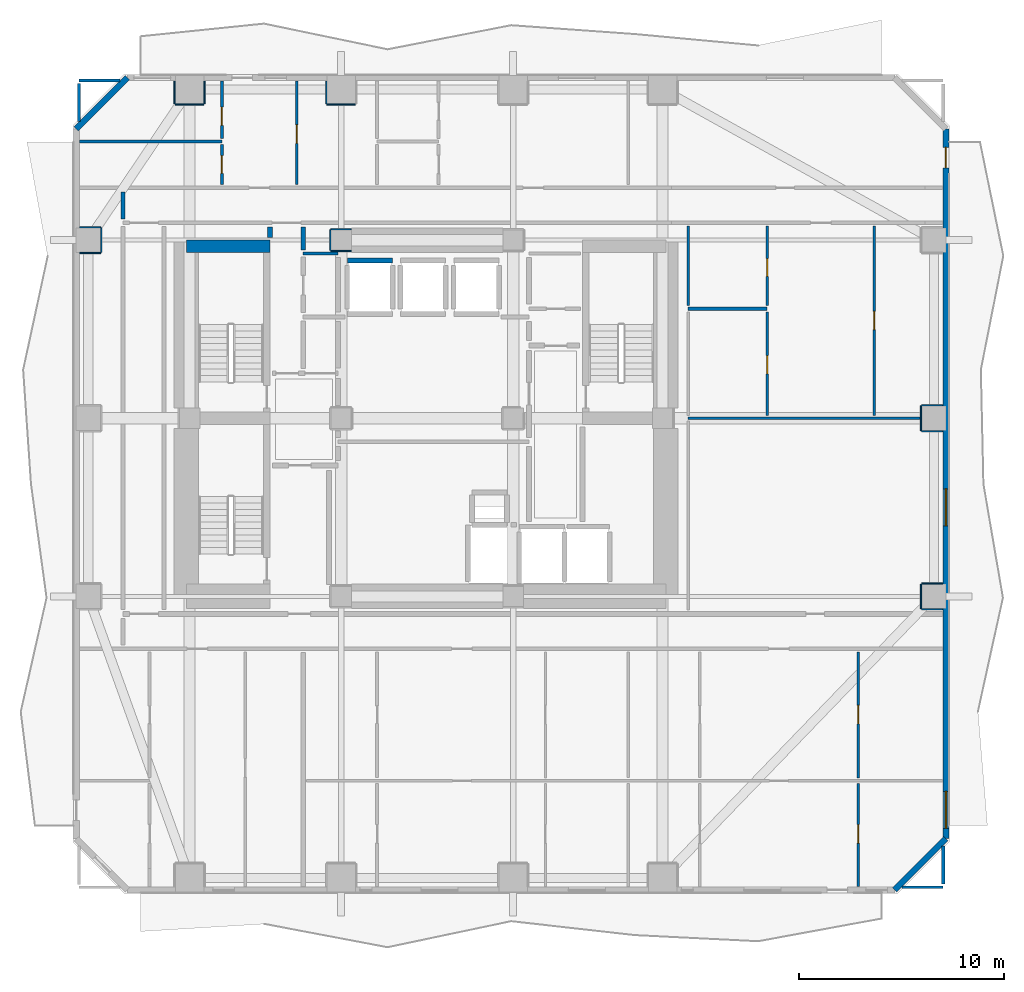
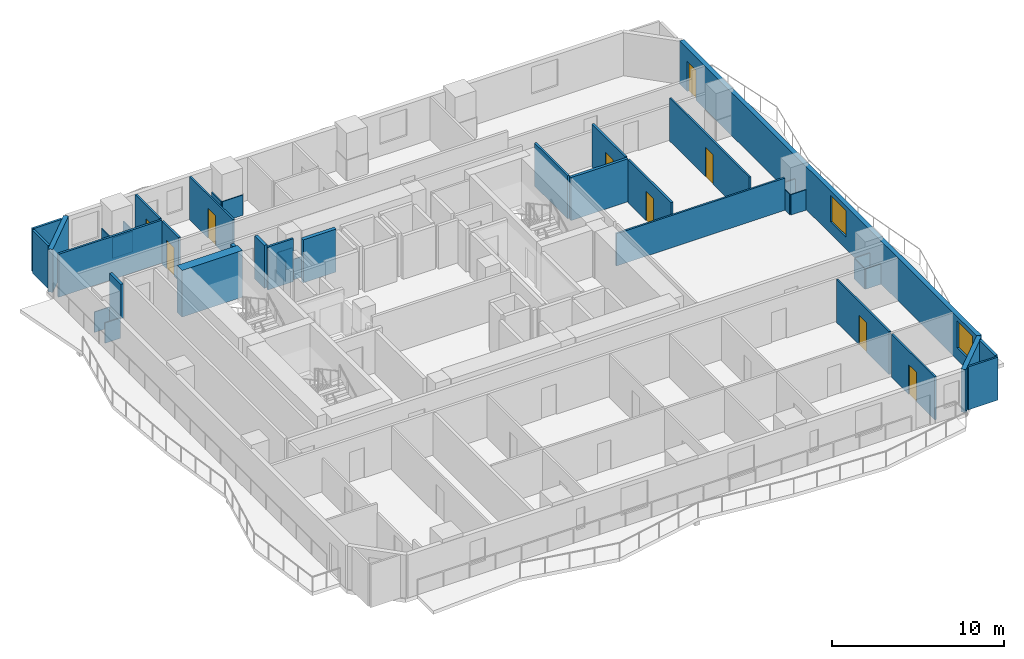
# One storey, part 5 of 10: 42 walls, 9 doors, 2 windows, 11 openings.
"""IFC4 building model written with IfcOpenShell, lengths in metres."""

from ifc_helpers import new_model, si_unit, direction, frame, frame_2d, origin, place, context, subcontext, project, spatial, rectangle, extrude, material, layer, layer_set, type_object, element, fill, save


model = new_model("IFC4")

# Units and contexts
model_context = context("Model", 3, precision=1e-05, world=origin(), true_north=direction((0.0, 1.0)))
body_context = subcontext(model_context, "Body", "Model", "MODEL_VIEW")
ifc_project = project(units=[si_unit("LENGTHUNIT", "METRE"), si_unit("AREAUNIT", "SQUARE_METRE"), si_unit("VOLUMEUNIT", "CUBIC_METRE"), si_unit("PLANEANGLEUNIT", "RADIAN"), si_unit("MASSUNIT", "GRAM", prefix="KILO")], contexts=[model_context])

# Site, building, storey
site_placement = place(None, origin())
site = spatial("IfcSite", under=ifc_project, at=site_placement, CompositionType="ELEMENT")
building_placement = place(site_placement, origin())
building = spatial("IfcBuilding", under=site, at=building_placement, Name="Solanera Arch Residences", CompositionType="ELEMENT")
storey_placement = place(building_placement, frame((0.0, 0.0, 48.56005859375)))
storey = spatial("IfcBuildingStorey", under=building, at=storey_placement, Name="L13", CompositionType="ELEMENT", Elevation=48.56005859375)

# Walls
ifc_material_1 = material(Name="Fire-Rated Gypsum Stud Partition", Category="gypsum")
ifc_layer_1 = layer(ifc_material_1, 0.06005859375)
ifc_layer_set_1 = layer_set([ifc_layer_1], Name="Fire-Rated Gypsum Stud Partition")
wall_type_1 = type_object("IfcWallType", Name="Column Acoustic Furring Wall 60", PredefinedType="PARTITIONING", material=ifc_layer_set_1)
for number, where, z_axis, x_axis, name in (
    (1, (20.300048828125, 38.867919921875, 0.0), (0.0, 0.0, 1.0), (1.0, 0.0, 0.0), "L13 Column Furring 3S"),
    (2, (20.300048828125, 39.931884765625, 0.0), (0.0, 0.0, 1.0), (1.0, 0.0, 0.0), "L13 Column Furring 3N"),
):
    element("IfcWall", number, at=place(storey_placement, frame(where, z_axis=z_axis, x_axis=x_axis)), inside=storey, type_object=wall_type_1, Name=name, PredefinedType="PARTITIONING", context=body_context, shape_type="SweptSolid", body=[
        extrude(rectangle(XDim=0.989990234375, YDim=0.06005859375, at=frame_2d((0.4951171875, 0.0))), origin(), (0.0, 0.0, 1.0), 1.449951171875),
    ])
wall_1_placement = place(storey_placement, frame((20.26806640625, 38.89990234375, 0.0), z_axis=(0.0, 0.0, 1.0), x_axis=(0.0, 1.0, 0.0)))
element("IfcWall", 3, at=wall_1_placement, inside=storey, type_object=wall_type_1, Name="L13 Column Furring 3W", PredefinedType="PARTITIONING", context=body_context, shape_type="SweptSolid", body=[
    extrude(rectangle(XDim=1.0, YDim=0.06005859375, at=frame_2d((0.5, 0.0))), origin(), (0.0, 0.0, 1.0), 1.449951171875),
])
wall_2_placement = place(storey_placement, frame((12.699951171875, 46.01806640625, 0.0), z_axis=(0.0, 0.0, 1.0), x_axis=(1.0, 0.0, 0.0)))
element("IfcWall", 4, at=wall_2_placement, inside=storey, type_object=wall_type_1, Name="L13 Column Furring 10S", PredefinedType="PARTITIONING", context=body_context, shape_type="SweptSolid", body=[
    extrude(rectangle(XDim=1.400146484375, YDim=0.06005859375, at=frame_2d((0.7001953125, 0.0))), origin(), (0.0, 0.0, 1.0), 1.449951171875),
])
for number, where, z_axis, x_axis, name in (
    (5, (12.66796875, 46.050048828125, 0.0), (0.0, 0.0, 1.0), (0.0, 1.0, 0.0), "L13 Column Furring 10W"),
    (6, (14.132080078125, 46.050048828125, 0.0), (0.0, 0.0, 1.0), (0.0, 1.0, 0.0), "L13 Column Furring 10E"),
):
    element("IfcWall", number, at=place(storey_placement, frame(where, z_axis=z_axis, x_axis=x_axis)), inside=storey, type_object=wall_type_1, Name=name, PredefinedType="PARTITIONING", context=body_context, shape_type="SweptSolid", body=[
        extrude(rectangle(XDim=1.119873046875, YDim=0.06005859375, at=frame_2d((0.56005859375, 0.0))), origin(), (0.0, 0.0, 1.0), 1.449951171875),
    ])
wall_3_placement = place(storey_placement, frame((20.10009765625, 46.01806640625, 0.0), z_axis=(0.0, 0.0, 1.0), x_axis=(1.0, 0.0, 0.0)))
element("IfcWall", 7, at=wall_3_placement, inside=storey, type_object=wall_type_1, Name="L13 Column Furring 12S", PredefinedType="PARTITIONING", context=body_context, shape_type="SweptSolid", body=[
    extrude(rectangle(XDim=1.39990234375, YDim=0.06005859375, at=frame_2d((0.699951171875, 0.0))), origin(), (0.0, 0.0, 1.0), 1.449951171875),
])
wall_4_placement = place(storey_placement, frame((20.068115234375, 46.050048828125, 0.0), z_axis=(0.0, 0.0, 1.0), x_axis=(0.0, 1.0, 0.0)))
element("IfcWall", 8, at=wall_4_placement, inside=storey, type_object=wall_type_1, Name="L13 Column Furring 12W", PredefinedType="PARTITIONING", context=body_context, shape_type="SweptSolid", body=[
    extrude(rectangle(XDim=1.119873046875, YDim=0.06005859375, at=frame_2d((0.56005859375, 0.0))), origin(), (0.0, 0.0, 1.0), 1.449951171875),
])
for number, where, z_axis, x_axis, name in (
    (9, (49.14990234375, 21.367919921875, 0.0), (0.0, 0.0, 1.0), (1.0, 0.0, 0.0), "L13 Column Furring 18S"),
    (10, (49.14990234375, 22.632080078125, 0.0), (0.0, 0.0, 1.0), (1.0, 0.0, 0.0), "L13 Column Furring 18N"),
):
    element("IfcWall", number, at=place(storey_placement, frame(where, z_axis=z_axis, x_axis=x_axis)), inside=storey, type_object=wall_type_1, Name=name, PredefinedType="PARTITIONING", context=body_context, shape_type="SweptSolid", body=[
        extrude(rectangle(XDim=1.02001953125, YDim=0.06005859375, at=frame_2d((0.510009765625, 0.0))), origin(), (0.0, 0.0, 1.0), 1.449951171875),
    ])
wall_5_placement = place(storey_placement, frame((49.117919921875, 21.39990234375, 0.0), z_axis=(0.0, 0.0, 1.0), x_axis=(0.0, 1.0, 0.0)))
element("IfcWall", 11, at=wall_5_placement, inside=storey, type_object=wall_type_1, Name="L13 Column Furring 18W", PredefinedType="PARTITIONING", context=body_context, shape_type="SweptSolid", body=[
    extrude(rectangle(XDim=1.2001953125, YDim=0.06005859375, at=frame_2d((0.60009765625, 0.0))), origin(), (0.0, 0.0, 1.0), 1.449951171875),
])
for number, where, z_axis, x_axis, name in (
    (12, (49.14990234375, 30.068115234375, 0.0), (0.0, 0.0, 1.0), (1.0, 0.0, 0.0), "L13 Column Furring 20S"),
    (13, (49.14990234375, 31.33203125, 0.0), (0.0, 0.0, 1.0), (1.0, 0.0, 0.0), "L13 Column Furring 20N"),
):
    element("IfcWall", number, at=place(storey_placement, frame(where, z_axis=z_axis, x_axis=x_axis)), inside=storey, type_object=wall_type_1, Name=name, PredefinedType="PARTITIONING", context=body_context, shape_type="SweptSolid", body=[
        extrude(rectangle(XDim=1.02001953125, YDim=0.06005859375, at=frame_2d((0.510009765625, 0.0))), origin(), (0.0, 0.0, 1.0), 1.449951171875),
    ])
wall_6_placement = place(storey_placement, frame((49.117919921875, 30.10009765625, 0.0), z_axis=(0.0, 0.0, 1.0), x_axis=(0.0, 1.0, 0.0)))
element("IfcWall", 14, at=wall_6_placement, inside=storey, type_object=wall_type_1, Name="L13 Column Furring 20W", PredefinedType="PARTITIONING", context=body_context, shape_type="SweptSolid", body=[
    extrude(rectangle(XDim=1.199951171875, YDim=0.06005859375, at=frame_2d((0.60009765625, 0.0))), origin(), (0.0, 0.0, 1.0), 1.449951171875),
])
for number, where, z_axis, x_axis, name in (
    (15, (8.030029296875, 38.76806640625, 0.0), (0.0, 0.0, 1.0), (1.0, 0.0, 0.0), "L13 Column Furring 21S"),
    (16, (8.030029296875, 40.031982421875, 0.0), (0.0, 0.0, 1.0), (1.0, 0.0, 0.0), "L13 Column Furring 21N"),
):
    element("IfcWall", number, at=place(storey_placement, frame(where, z_axis=z_axis, x_axis=x_axis)), inside=storey, type_object=wall_type_1, Name=name, PredefinedType="PARTITIONING", context=body_context, shape_type="SweptSolid", body=[
        extrude(rectangle(XDim=1.02001953125, YDim=0.06005859375, at=frame_2d((0.510009765625, 0.0))), origin(), (0.0, 0.0, 1.0), 1.449951171875),
    ])
wall_7_placement = place(storey_placement, frame((9.08203125, 38.800048828125, 0.0), z_axis=(0.0, 0.0, 1.0), x_axis=(0.0, 1.0, 0.0)))
element("IfcWall", 17, at=wall_7_placement, inside=storey, type_object=wall_type_1, Name="L13 Column Furring 21E", PredefinedType="PARTITIONING", context=body_context, shape_type="SweptSolid", body=[
    extrude(rectangle(XDim=1.199951171875, YDim=0.06005859375, at=frame_2d((0.60009765625, 0.0))), origin(), (0.0, 0.0, 1.0), 1.449951171875),
])
ifc_material_2 = material(Name="Concrete C40/50 (f'c = 45 MPa)", Category="concrete")
ifc_layer_2 = layer(ifc_material_2, 0.60009765625)
ifc_layer_set_2 = layer_set([ifc_layer_2], Name="Concrete C40/50 (f'c = 45 MPa)")
wall_type_2 = type_object("IfcWallType", Name="Core Shear Wall CW-600", PredefinedType="SHEAR", material=ifc_layer_set_2)
wall_8_placement = place(storey_placement, frame((13.239990234375, 39.10009765625, 0.0), z_axis=(0.0, 0.0, 1.0), x_axis=(1.0, 0.0, 0.0)))
element("IfcWall", 18, at=wall_8_placement, inside=storey, type_object=wall_type_2, Name="L13 North-West Core Shear Wall", PredefinedType="SHEAR", context=body_context, shape_type="SweptSolid", body=[
    extrude(rectangle(XDim=4.080078125, YDim=0.60009765625, at=frame_2d((2.0400390625, 0.0))), origin(), (0.0, 0.0, 1.0), 3.31982421875),
])
ifc_material_3 = material(Name="Autoclaved Aerated Concrete Blockwork", Category="masonry")
ifc_layer_3 = layer(ifc_material_3, 0.179931640625)
ifc_layer_set_3 = layer_set([ifc_layer_3], Name="Autoclaved Aerated Concrete Blockwork")
wall_type_3 = type_object("IfcWallType", Name="Corridor Fire Partition 180", PredefinedType="PARTITIONING", material=ifc_layer_set_3)
wall_9_placement = place(storey_placement, frame((37.75, 36.050048828125, 0.0), z_axis=(0.0, 0.0, 1.0), x_axis=(1.0, 0.0, 0.0)))
element("IfcWall", 19, at=wall_9_placement, inside=storey, type_object=wall_type_3, Name="L13 Interior Partition H10", PredefinedType="PARTITIONING", context=body_context, shape_type="SweptSolid", body=[
    extrude(rectangle(XDim=3.860107421875, YDim=0.179931640625, at=frame_2d((1.93017578125, 0.0))), origin(), (0.0, 0.0, 1.0), 3.06005859375),
])
wall_10_placement = place(storey_placement, frame((10.14990234375, 40.43798828125, 0.0), z_axis=(0.0, 0.0, 1.0), x_axis=(0.0, 1.0, 0.0)))
element("IfcWall", 20, at=wall_10_placement, inside=storey, type_object=wall_type_3, Name="L13 Interior Partition V8 3", PredefinedType="PARTITIONING", context=body_context, shape_type="SweptSolid", body=[
    extrude(rectangle(XDim=1.323974609375, YDim=0.179931640625, at=frame_2d((0.662109375, 0.0))), origin(), (0.0, 0.0, 1.0), 2.44482421875),
])
wall_11_placement = place(storey_placement, frame((50.199951171875, 7.9580078125, 0.0), z_axis=(0.0, 0.0, 1.0), x_axis=(0.0, 1.0, 0.0)))
element("IfcWall", 21, at=wall_11_placement, inside=storey, type_object=wall_type_3, Name="L13 Interior Partition V10 1", PredefinedType="PARTITIONING", context=body_context, shape_type="SweptSolid", body=[
    extrude(rectangle(XDim=1.843017578125, YDim=0.179931640625, at=frame_2d((0.92138671875, 0.0))), origin(), (0.0, 0.0, 1.0), 3.06005859375),
])
ifc_material_4 = material(Name="Precast Concrete C35/45", Category="concrete")
ifc_layer_4 = layer(ifc_material_4, 0.300048828125)
ifc_layer_set_4 = layer_set([ifc_layer_4], Name="Precast Concrete C35/45")
wall_type_4 = type_object("IfcWallType", Name="Exterior Wall Precast Masonry-Frame 300", PredefinedType="STANDARD", material=ifc_layer_set_4)
wall_12_placement = place(storey_placement, frame((7.864990234375, 44.8349609375, 0.0), z_axis=(0.0, 0.0, 1.0), x_axis=(0.707106781187, 0.707106781187, 0.0)))
element("IfcWall", 22, at=wall_12_placement, inside=storey, type_object=wall_type_4, Name="L13 Tower Exterior Precast Masonry-Frame Wall CH1", PredefinedType="STANDARD", context=body_context, shape_type="SweptSolid", body=[
    extrude(rectangle(XDim=3.53564453125, YDim=0.300048828125, at=frame_2d((1.767822265625, 0.0))), origin(), (0.0, 0.0, 1.0), 3.06005859375),
])

# Wall, openings, door, windows
wall_13_placement = place(storey_placement, frame((50.3349609375, 44.8349609375, 0.0), z_axis=(0.0, 0.0, 1.0), x_axis=(0.0, -1.0, 0.0)))
wall_13 = element("IfcWall", 23, at=wall_13_placement, inside=storey, type_object=wall_type_4, Name="L13 Tower Exterior Precast Masonry-Frame Wall E", PredefinedType="STANDARD", context=body_context, shape_type="SweptSolid", body=[
    extrude(rectangle(XDim=34.669921875, YDim=0.300048828125, at=frame_2d((17.3349609375, 0.0))), origin(), (0.0, 0.0, 1.0), 3.06005859375),
])
opening_1_placement = place(wall_13_placement, frame((0.90087890625, 0.0, 0.0)))
opening_1 = element("IfcOpeningElement", 24, at=opening_1_placement, cuts=wall_13, Name="Opening DB-01", PredefinedType="OPENING", context=body_context, shape_type="SweptSolid", body=[
    extrude(rectangle(XDim=1.0, YDim=2.14990234375, at=frame_2d((0.5, 1.074951171875))), frame((0.0, 0.159912109375, 0.0), z_axis=(0.0, -1.0, 0.0), x_axis=(1.0, 0.0, 0.0)), (0.0, 0.0, 1.0), 0.32),
])
opening_2_placement = place(wall_13_placement, frame((32.35791015625, 0.0, 0.85009765625)))
opening_2 = element("IfcOpeningElement", 25, at=opening_2_placement, cuts=wall_13, Name="Opening W-03", PredefinedType="OPENING", context=body_context, shape_type="SweptSolid", body=[
    extrude(rectangle(XDim=1.800048828125, YDim=1.89990234375, at=frame_2d((0.89990234375, 0.949951171875))), frame((0.0, 0.159912109375, 0.0), z_axis=(0.0, -1.0, 0.0), x_axis=(1.0, 0.0, 0.0)), (0.0, 0.0, 1.0), 0.32),
])
opening_3_placement = place(wall_13_placement, frame((17.5849609375, 0.0, 0.85009765625)))
opening_3 = element("IfcOpeningElement", 26, at=opening_3_placement, cuts=wall_13, Name="Opening W-03", PredefinedType="OPENING", context=body_context, shape_type="SweptSolid", body=[
    extrude(rectangle(XDim=1.800048828125, YDim=1.89990234375, at=frame_2d((0.89990234375, 0.949951171875))), frame((0.0, 0.159912109375, 0.0), z_axis=(0.0, -1.0, 0.0), x_axis=(1.0, 0.0, 0.0)), (0.0, 0.0, 1.0), 0.32),
])
ifc_material_5 = material(Name="Anodised Aluminium Alloy 6063-T6", Category="aluminium")
door_type_1 = type_object("IfcDoorType", Name="Glazed Balcony Swing Door DB-01", OperationType="NOTDEFINED", PredefinedType="DOOR", material=ifc_material_5)
door_1_placement = place(opening_1_placement, origin())
door_1 = element("IfcDoor", 27, at=door_1_placement, inside=storey, type_object=door_type_1, Name="DR-L13-OUT-03", OperationType="SINGLE_SWING_LEFT", OverallHeight=2.14990234375, OverallWidth=1.0, PredefinedType="DOOR", context=body_context, shape_type="SweptSolid", body=[
    extrude(rectangle(XDim=1.0, YDim=2.14990234375, at=frame_2d((0.5, 1.074951171875))), frame((0.0, 0.02490234375, 0.0), z_axis=(0.0, -1.0, 0.0), x_axis=(1.0, 0.0, 0.0)), (0.0, 0.0, 1.0), 0.050048828125),
])
fill(opening_1, door_1)
ifc_material_6 = material(Name="Double Glazed Low-E Laminated Glass", Category="glass")
window_type = type_object("IfcWindowType", Name="Punched Window W-03", PartitioningType="DOUBLE_PANEL_VERTICAL", PredefinedType="WINDOW", material=ifc_material_6)
window_1_placement = place(opening_2_placement, origin())
window_1 = element("IfcWindow", 28, at=window_1_placement, inside=storey, type_object=window_type, Name="L13 1303-STD Punched Window", OverallHeight=1.89990234375, OverallWidth=1.800048828125, PartitioningType="SINGLE_PANEL", PredefinedType="WINDOW", context=body_context, shape_type="SweptSolid", body=[
    extrude(rectangle(XDim=1.800048828125, YDim=1.89990234375, at=frame_2d((0.89990234375, 0.949951171875))), frame((0.0, 0.030029296875, 0.0), z_axis=(0.0, -1.0, 0.0), x_axis=(1.0, 0.0, 0.0)), (0.0, 0.0, 1.0), 0.06005859375),
])
fill(opening_2, window_1)
window_2_placement = place(opening_3_placement, origin())
window_2 = element("IfcWindow", 29, at=window_2_placement, inside=storey, type_object=window_type, Name="L13 AMN-STDE Punched Window", OverallHeight=1.89990234375, OverallWidth=1.800048828125, PartitioningType="SINGLE_PANEL", PredefinedType="WINDOW", context=body_context, shape_type="SweptSolid", body=[
    extrude(rectangle(XDim=1.800048828125, YDim=1.89990234375, at=frame_2d((0.89990234375, 0.949951171875))), frame((0.0, 0.030029296875, 0.0), z_axis=(0.0, -1.0, 0.0), x_axis=(1.0, 0.0, 0.0)), (0.0, 0.0, 1.0), 0.06005859375),
])
fill(opening_3, window_2)

# Walls
wall_14_placement = place(storey_placement, frame((50.3349609375, 10.1650390625, 0.0), z_axis=(0.0, 0.0, 1.0), x_axis=(-0.707106781187, -0.707106781187, 0.0)))
element("IfcWall", 30, at=wall_14_placement, inside=storey, type_object=wall_type_4, Name="L13 Tower Exterior Precast Masonry-Frame Wall CH5", PredefinedType="STANDARD", context=body_context, shape_type="SweptSolid", body=[
    extrude(rectangle(XDim=3.53564453125, YDim=0.300048828125, at=frame_2d((1.767822265625, 0.0))), origin(), (0.0, 0.0, 1.0), 3.06005859375),
])
ifc_material_7 = material(Name="Autoclaved Aerated Concrete Blockwork", Category="masonry")
ifc_layer_5 = layer(ifc_material_7, 0.199951171875)
ifc_layer_set_5 = layer_set([ifc_layer_5], Name="Autoclaved Aerated Concrete Blockwork")
wall_type_5 = type_object("IfcWallType", Name="Party Wall Acoustic 200", PredefinedType="PARTITIONING", material=ifc_layer_set_5)
wall_15_placement = place(storey_placement, frame((18.949951171875, 38.927978515625, 0.0), z_axis=(0.0, 0.0, 1.0), x_axis=(0.0, 1.0, 0.0)))
element("IfcWall", 31, at=wall_15_placement, inside=storey, type_object=wall_type_5, Name="L13 Interior Partition V7 3", PredefinedType="PARTITIONING", context=body_context, shape_type="SweptSolid", body=[
    extrude(rectangle(XDim=1.1240234375, YDim=0.199951171875, at=frame_2d((0.56201171875, 0.0))), origin(), (0.0, 0.0, 1.0), 3.06005859375),
])
ifc_material_8 = material(Name="Autoclaved Aerated Concrete Blockwork", Category="masonry")
ifc_layer_6 = layer(ifc_material_8, 0.239990234375)
ifc_layer_set_6 = layer_set([ifc_layer_6], Name="Autoclaved Aerated Concrete Blockwork")
wall_type_6 = type_object("IfcWallType", Name="Shaft Wall Fire-Rated 240", PredefinedType="PARTITIONING", material=ifc_layer_set_6)
wall_16_placement = place(storey_placement, frame((21.10009765625, 38.39990234375, 0.0), z_axis=(0.0, 0.0, 1.0), x_axis=(1.0, 0.0, 0.0)))
element("IfcWall", 32, at=wall_16_placement, inside=storey, type_object=wall_type_6, Name="L13 Lift PL-L1 Hoistway Wall N", PredefinedType="PARTITIONING", context=body_context, shape_type="SweptSolid", body=[
    extrude(rectangle(XDim=2.199951171875, YDim=0.239990234375, at=frame_2d((1.10009765625, 0.0))), origin(), (0.0, 0.0, 1.0), 3.06005859375),
])
wall_17_placement = place(storey_placement, frame((17.320068359375, 39.530029296875, 0.0), z_axis=(0.0, 0.0, 1.0), x_axis=(0.0, 1.0, 0.0)))
element("IfcWall", 33, at=wall_17_placement, inside=storey, type_object=wall_type_6, Name="L13 Interior Partition V1", PredefinedType="PARTITIONING", context=body_context, shape_type="SweptSolid", body=[
    extrude(rectangle(XDim=0.501953125, YDim=0.239990234375, at=frame_2d((0.2509765625, 0.0))), origin(), (0.0, 0.0, 1.0), 3.06005859375),
])
ifc_material_9 = material(Name="Fire-Rated Gypsum Stud Partition", Category="gypsum")
ifc_layer_7 = layer(ifc_material_9, 0.1201171875)
ifc_layer_set_7 = layer_set([ifc_layer_7], Name="Fire-Rated Gypsum Stud Partition")
wall_type_7 = type_object("IfcWallType", Name="Unit Drywall Partition 120", PredefinedType="PARTITIONING", material=ifc_layer_set_7)
wall_18_placement = place(storey_placement, frame((48.198974609375, 7.800048828125, 0.0), z_axis=(0.0, 0.0, 1.0), x_axis=(1.0, 0.0, 0.0)))
element("IfcWall", 34, at=wall_18_placement, inside=storey, type_object=wall_type_7, Name="L13 Interior Partition H20 2", PredefinedType="PARTITIONING", context=body_context, shape_type="SweptSolid", body=[
    extrude(rectangle(XDim=2.0009765625, YDim=0.1201171875, at=frame_2d((1.00048828125, 0.0))), origin(), (0.0, 0.0, 1.0), 3.06005859375),
])
wall_19_placement = place(storey_placement, frame((37.75, 30.699951171875, 0.0), z_axis=(0.0, 0.0, 1.0), x_axis=(1.0, 0.0, 0.0)))
element("IfcWall", 35, at=wall_19_placement, inside=storey, type_object=wall_type_7, Name="L13 Interior Partition H21", PredefinedType="PARTITIONING", context=body_context, shape_type="SweptSolid", body=[
    extrude(rectangle(XDim=11.327880859375, YDim=0.1201171875, at=frame_2d((5.6640625, 0.0))), origin(), (0.0, 0.0, 1.0), 2.294921875),
])

# Wall, opening, door
wall_20_placement = place(storey_placement, frame((18.62890625, 42.10791015625, 0.0), z_axis=(0.0, 0.0, 1.0), x_axis=(0.0, 1.0, 0.0)))
wall_20 = element("IfcWall", 36, at=wall_20_placement, inside=storey, type_object=wall_type_7, Name="L13 Interior Partition V24", PredefinedType="PARTITIONING", context=body_context, shape_type="SweptSolid", body=[
    extrude(rectangle(XDim=5.065185546875, YDim=0.1201171875, at=frame_2d((2.53271484375, 0.0))), origin(), (0.0, 0.0, 1.0), 3.06005859375),
])
opening_4_placement = place(wall_20_placement, frame((2.01708984375, 0.0, 0.0)))
opening_4 = element("IfcOpeningElement", 37, at=opening_4_placement, cuts=wall_20, Name="Opening DI-02", PredefinedType="OPENING", context=body_context, shape_type="SweptSolid", body=[
    extrude(rectangle(XDim=0.89990234375, YDim=2.10009765625, at=frame_2d((0.449951171875, 1.050048828125))), frame((0.0, 0.070068359375, 0.0), z_axis=(0.0, -1.0, 0.0), x_axis=(1.0, 0.0, 0.0)), (0.0, 0.0, 1.0), 0.1401),
])
ifc_material_10 = material(Name="Fire-Rated Architectural Hardwood", Category="wood")
door_type_2 = type_object("IfcDoorType", Name="Suite Room Swing Door DI-02", OperationType="NOTDEFINED", PredefinedType="DOOR", material=ifc_material_10)
door_2_placement = place(opening_4_placement, origin())
door_2 = element("IfcDoor", 38, at=door_2_placement, inside=storey, type_object=door_type_2, Name="DR-L13-IN-034", OperationType="SINGLE_SWING_RIGHT", OverallHeight=2.10009765625, OverallWidth=0.89990234375, PredefinedType="DOOR", context=body_context, shape_type="SweptSolid", body=[
    extrude(rectangle(XDim=0.89990234375, YDim=2.10009765625, at=frame_2d((0.449951171875, 1.050048828125))), frame((0.0, 0.02490234375, 0.0), z_axis=(0.0, -1.0, 0.0), x_axis=(1.0, 0.0, 0.0)), (0.0, 0.0, 1.0), 0.050048828125),
])
fill(opening_4, door_2)

wall_21_placement = place(storey_placement, frame((46.047119140625, 7.826904296875, 0.0), z_axis=(0.0, 0.0, 1.0), x_axis=(0.0, 1.0, 0.0)))
wall_21 = element("IfcWall", 39, at=wall_21_placement, inside=storey, type_object=wall_type_7, Name="L13 Interior Partition V26 1", PredefinedType="PARTITIONING", context=body_context, shape_type="SweptSolid", body=[
    extrude(rectangle(XDim=5.03515625, YDim=0.1201171875, at=frame_2d((2.517578125, 0.0))), origin(), (0.0, 0.0, 1.0), 3.06005859375),
])
opening_5_placement = place(wall_21_placement, frame((2.123046875, 0.0, 0.0)))
opening_5 = element("IfcOpeningElement", 40, at=opening_5_placement, cuts=wall_21, Name="Opening DI-02", PredefinedType="OPENING", context=body_context, shape_type="SweptSolid", body=[
    extrude(rectangle(XDim=0.89990234375, YDim=2.10009765625, at=frame_2d((0.449951171875, 1.050048828125))), frame((0.0, 0.070068359375, 0.0), z_axis=(0.0, -1.0, 0.0), x_axis=(1.0, 0.0, 0.0)), (0.0, 0.0, 1.0), 0.1401),
])
door_3_placement = place(opening_5_placement, origin())
door_3 = element("IfcDoor", 41, at=door_3_placement, inside=storey, type_object=door_type_2, Name="DR-L13-IN-030", OperationType="SINGLE_SWING_RIGHT", OverallHeight=2.10009765625, OverallWidth=0.89990234375, PredefinedType="DOOR", context=body_context, shape_type="SweptSolid", body=[
    extrude(rectangle(XDim=0.89990234375, YDim=2.10009765625, at=frame_2d((0.449951171875, 1.050048828125))), frame((0.0, 0.02490234375, 0.0), z_axis=(0.0, -1.0, 0.0), x_axis=(1.0, 0.0, 0.0)), (0.0, 0.0, 1.0), 0.050048828125),
])
fill(opening_5, door_3)

wall_22_placement = place(storey_placement, frame((46.047119140625, 13.137939453125, 0.0), z_axis=(0.0, 0.0, 1.0), x_axis=(0.0, 1.0, 0.0)))
wall_22 = element("IfcWall", 42, at=wall_22_placement, inside=storey, type_object=wall_type_7, Name="L13 Interior Partition V26 2", PredefinedType="PARTITIONING", context=body_context, shape_type="SweptSolid", body=[
    extrude(rectangle(XDim=6.154052734375, YDim=0.1201171875, at=frame_2d((3.0771484375, 0.0))), origin(), (0.0, 0.0, 1.0), 3.06005859375),
])
opening_6_placement = place(wall_22_placement, frame((2.636962890625, 0.0, 0.0)))
opening_6 = element("IfcOpeningElement", 43, at=opening_6_placement, cuts=wall_22, Name="Opening DI-02", PredefinedType="OPENING", context=body_context, shape_type="SweptSolid", body=[
    extrude(rectangle(XDim=0.89990234375, YDim=2.10009765625, at=frame_2d((0.449951171875, 1.050048828125))), frame((0.0, 0.070068359375, 0.0), z_axis=(0.0, -1.0, 0.0), x_axis=(1.0, 0.0, 0.0)), (0.0, 0.0, 1.0), 0.1401),
])
door_4_placement = place(opening_6_placement, origin())
door_4 = element("IfcDoor", 44, at=door_4_placement, inside=storey, type_object=door_type_2, Name="DR-L13-IN-029", OperationType="SINGLE_SWING_LEFT", OverallHeight=2.10009765625, OverallWidth=0.89990234375, PredefinedType="DOOR", context=body_context, shape_type="SweptSolid", body=[
    extrude(rectangle(XDim=0.89990234375, YDim=2.10009765625, at=frame_2d((0.449951171875, 1.050048828125))), frame((0.0, 0.02490234375, 0.0), z_axis=(0.0, -1.0, 0.0), x_axis=(1.0, 0.0, 0.0)), (0.0, 0.0, 1.0), 0.050048828125),
])
fill(opening_6, door_4)

wall_23_placement = place(storey_placement, frame((46.839111328125, 30.827880859375, 0.0), z_axis=(0.0, 0.0, 1.0), x_axis=(0.0, 1.0, 0.0)))
wall_23 = element("IfcWall", 45, at=wall_23_placement, inside=storey, type_object=wall_type_7, Name="L13 Interior Partition V27", PredefinedType="PARTITIONING", context=body_context, shape_type="SweptSolid", body=[
    extrude(rectangle(XDim=9.26416015625, YDim=0.1201171875, at=frame_2d((4.632080078125, 0.0))), origin(), (0.0, 0.0, 1.0), 3.06005859375),
])
opening_7_placement = place(wall_23_placement, frame((4.197021484375, 0.0, 0.0)))
opening_7 = element("IfcOpeningElement", 46, at=opening_7_placement, cuts=wall_23, Name="Opening DI-02", PredefinedType="OPENING", context=body_context, shape_type="SweptSolid", body=[
    extrude(rectangle(XDim=0.89990234375, YDim=2.10009765625, at=frame_2d((0.449951171875, 1.050048828125))), frame((0.0, 0.070068359375, 0.0), z_axis=(0.0, -1.0, 0.0), x_axis=(1.0, 0.0, 0.0)), (0.0, 0.0, 1.0), 0.1401),
])
door_5_placement = place(opening_7_placement, origin())
door_5 = element("IfcDoor", 47, at=door_5_placement, inside=storey, type_object=door_type_2, Name="DR-L13-IN-043", OperationType="SINGLE_SWING_LEFT", OverallHeight=2.10009765625, OverallWidth=0.89990234375, PredefinedType="DOOR", context=body_context, shape_type="SweptSolid", body=[
    extrude(rectangle(XDim=0.89990234375, YDim=2.10009765625, at=frame_2d((0.449951171875, 1.050048828125))), frame((0.0, 0.02490234375, 0.0), z_axis=(0.0, -1.0, 0.0), x_axis=(1.0, 0.0, 0.0)), (0.0, 0.0, 1.0), 0.050048828125),
])
fill(opening_7, door_5)

# Walls
ifc_material_11 = material(Name="Autoclaved Aerated Concrete Blockwork", Category="masonry")
ifc_layer_8 = layer(ifc_material_11, 0.139892578125)
ifc_layer_set_8 = layer_set([ifc_layer_8], Name="Autoclaved Aerated Concrete Blockwork")
wall_type_8 = type_object("IfcWallType", Name="Wet-Room Partition 140", PredefinedType="PARTITIONING", material=ifc_layer_set_8)
wall_24_placement = place(storey_placement, frame((18.949951171875, 38.75, 0.0), z_axis=(0.0, 0.0, 1.0), x_axis=(1.0, 0.0, 0.0)))
element("IfcWall", 48, at=wall_24_placement, inside=storey, type_object=wall_type_8, Name="L13 Interior Partition H15", PredefinedType="PARTITIONING", context=body_context, shape_type="SweptSolid", body=[
    extrude(rectangle(XDim=1.699951171875, YDim=0.139892578125, at=frame_2d((0.85009765625, 0.0))), origin(), (0.0, 0.0, 1.0), 3.06005859375),
])
wall_25_placement = place(storey_placement, frame((8.027099609375, 44.2080078125, 0.0), z_axis=(0.0, 0.0, 1.0), x_axis=(1.0, 0.0, 0.0)))
element("IfcWall", 49, at=wall_25_placement, inside=storey, type_object=wall_type_8, Name="L13 Interior Partition H17", PredefinedType="PARTITIONING", context=body_context, shape_type="SweptSolid", body=[
    extrude(rectangle(XDim=6.952880859375, YDim=0.139892578125, at=frame_2d((3.4765625, 0.0))), origin(), (0.0, 0.0, 1.0), 3.06005859375),
])
wall_26_placement = place(storey_placement, frame((8.0, 47.199951171875, 0.0), z_axis=(0.0, 0.0, 1.0), x_axis=(1.0, 0.0, 0.0)))
element("IfcWall", 50, at=wall_26_placement, inside=storey, type_object=wall_type_8, Name="L13 Interior Partition H19 1", PredefinedType="PARTITIONING", context=body_context, shape_type="SweptSolid", body=[
    extrude(rectangle(XDim=2.0009765625, YDim=0.139892578125, at=frame_2d((1.00048828125, 0.0))), origin(), (0.0, 0.0, 1.0), 3.06005859375),
])
wall_27_placement = place(storey_placement, frame((8.0, 45.198974609375, 0.0), z_axis=(0.0, 0.0, 1.0), x_axis=(0.0, 1.0, 0.0)))
element("IfcWall", 51, at=wall_27_placement, inside=storey, type_object=wall_type_8, Name="L13 Interior Partition V12", PredefinedType="PARTITIONING", context=body_context, shape_type="SweptSolid", body=[
    extrude(rectangle(XDim=1.85302734375, YDim=0.139892578125, at=frame_2d((0.926513671875, 0.0))), origin(), (0.0, 0.0, 1.0), 3.06005859375),
])

# Wall, opening, door
wall_28_placement = place(storey_placement, frame((14.97998046875, 42.117919921875, 0.0), z_axis=(0.0, 0.0, 1.0), x_axis=(0.0, 1.0, 0.0)))
wall_28 = element("IfcWall", 52, at=wall_28_placement, inside=storey, type_object=wall_type_8, Name="L13 Interior Partition V14 1", PredefinedType="PARTITIONING", context=body_context, shape_type="SweptSolid", body=[
    extrude(rectangle(XDim=1.942138671875, YDim=0.139892578125, at=frame_2d((0.97119140625, 0.0))), origin(), (0.0, 0.0, 1.0), 3.06005859375),
])
opening_8_placement = place(wall_28_placement, frame((0.5439453125, 0.0, 0.0)))
opening_8 = element("IfcOpeningElement", 53, at=opening_8_placement, cuts=wall_28, Name="Opening DI-05", PredefinedType="OPENING", context=body_context, shape_type="SweptSolid", body=[
    extrude(rectangle(XDim=0.860107421875, YDim=2.02001953125, at=frame_2d((0.43017578125, 1.010009765625))), frame((0.0, 0.079833984375, 0.0), z_axis=(0.0, -1.0, 0.0), x_axis=(1.0, 0.0, 0.0)), (0.0, 0.0, 1.0), 0.1599),
])
ifc_material_12 = material(Name="Fire-Rated Architectural Hardwood", Category="wood")
door_type_3 = type_object("IfcDoorType", Name="Bathroom Swing Door DI-05", OperationType="NOTDEFINED", PredefinedType="DOOR", material=ifc_material_12)
door_6_placement = place(opening_8_placement, origin())
door_6 = element("IfcDoor", 54, at=door_6_placement, inside=storey, type_object=door_type_3, Name="DR-L13-IN-032", OperationType="SINGLE_SWING_RIGHT", OverallHeight=2.02001953125, OverallWidth=0.860107421875, PredefinedType="DOOR", context=body_context, shape_type="SweptSolid", body=[
    extrude(rectangle(XDim=0.860107421875, YDim=2.02001953125, at=frame_2d((0.43017578125, 1.010009765625))), frame((0.0, 0.02490234375, 0.0), z_axis=(0.0, -1.0, 0.0), x_axis=(1.0, 0.0, 0.0)), (0.0, 0.0, 1.0), 0.050048828125),
])
fill(opening_8, door_6)

wall_29_placement = place(storey_placement, frame((14.97998046875, 44.35595703125, 0.0), z_axis=(0.0, 0.0, 1.0), x_axis=(0.0, 1.0, 0.0)))
wall_29 = element("IfcWall", 55, at=wall_29_placement, inside=storey, type_object=wall_type_8, Name="L13 Interior Partition V14 2", PredefinedType="PARTITIONING", context=body_context, shape_type="SweptSolid", body=[
    extrude(rectangle(XDim=2.817138671875, YDim=0.139892578125, at=frame_2d((1.40869140625, 0.0))), origin(), (0.0, 0.0, 1.0), 3.06005859375),
])
opening_9_placement = place(wall_29_placement, frame((0.64501953125, 0.0, 0.0)))
opening_9 = element("IfcOpeningElement", 56, at=opening_9_placement, cuts=wall_29, Name="Opening DI-03", PredefinedType="OPENING", context=body_context, shape_type="SweptSolid", body=[
    extrude(rectangle(XDim=0.89990234375, YDim=2.10009765625, at=frame_2d((0.449951171875, 1.050048828125))), frame((0.0, 0.079833984375, 0.0), z_axis=(0.0, -1.0, 0.0), x_axis=(1.0, 0.0, 0.0)), (0.0, 0.0, 1.0), 0.1599),
])
ifc_material_13 = material(Name="Fire-Rated Architectural Hardwood", Category="wood")
door_type_4 = type_object("IfcDoorType", Name="Bedroom Swing Door DI-03", OperationType="NOTDEFINED", PredefinedType="DOOR", material=ifc_material_13)
door_7_placement = place(opening_9_placement, origin())
door_7 = element("IfcDoor", 57, at=door_7_placement, inside=storey, type_object=door_type_4, Name="DR-L13-IN-033", OperationType="SINGLE_SWING_LEFT", OverallHeight=2.10009765625, OverallWidth=0.89990234375, PredefinedType="DOOR", context=body_context, shape_type="SweptSolid", body=[
    extrude(rectangle(XDim=0.89990234375, YDim=2.10009765625, at=frame_2d((0.449951171875, 1.050048828125))), frame((0.0, 0.02490234375, 0.0), z_axis=(0.0, -1.0, 0.0), x_axis=(1.0, 0.0, 0.0)), (0.0, 0.0, 1.0), 0.050048828125),
])
fill(opening_9, door_7)

# Wall
wall_30_placement = place(storey_placement, frame((37.75, 36.218017578125, 0.0), z_axis=(0.0, 0.0, 1.0), x_axis=(0.0, 1.0, 0.0)))
element("IfcWall", 58, at=wall_30_placement, inside=storey, type_object=wall_type_8, Name="L13 Interior Partition V20 3", PredefinedType="PARTITIONING", context=body_context, shape_type="SweptSolid", body=[
    extrude(rectangle(XDim=3.864013671875, YDim=0.139892578125, at=frame_2d((1.93212890625, 0.0))), origin(), (0.0, 0.0, 1.0), 3.06005859375),
])

# Wall, opening, door
wall_31_placement = place(storey_placement, frame((41.610107421875, 30.837890625, 0.0), z_axis=(0.0, 0.0, 1.0), x_axis=(0.0, 1.0, 0.0)))
wall_31 = element("IfcWall", 59, at=wall_31_placement, inside=storey, type_object=wall_type_8, Name="L13 Interior Partition V22 1", PredefinedType="PARTITIONING", context=body_context, shape_type="SweptSolid", body=[
    extrude(rectangle(XDim=5.044189453125, YDim=0.139892578125, at=frame_2d((2.52197265625, 0.0))), origin(), (0.0, 0.0, 1.0), 3.06005859375),
])
opening_10_placement = place(wall_31_placement, frame((2.02490234375, 0.0, 0.0)))
opening_10 = element("IfcOpeningElement", 60, at=opening_10_placement, cuts=wall_31, Name="Opening DI-03", PredefinedType="OPENING", context=body_context, shape_type="SweptSolid", body=[
    extrude(rectangle(XDim=0.89990234375, YDim=2.10009765625, at=frame_2d((0.449951171875, 1.050048828125))), frame((0.0, 0.079833984375, 0.0), z_axis=(0.0, -1.0, 0.0), x_axis=(1.0, 0.0, 0.0)), (0.0, 0.0, 1.0), 0.1599),
])
door_8_placement = place(opening_10_placement, origin())
door_8 = element("IfcDoor", 61, at=door_8_placement, inside=storey, type_object=door_type_4, Name="DR-L13-IN-042", OperationType="SINGLE_SWING_RIGHT", OverallHeight=2.10009765625, OverallWidth=0.89990234375, PredefinedType="DOOR", context=body_context, shape_type="SweptSolid", body=[
    extrude(rectangle(XDim=0.89990234375, YDim=2.10009765625, at=frame_2d((0.449951171875, 1.050048828125))), frame((0.0, 0.02490234375, 0.0), z_axis=(0.0, -1.0, 0.0), x_axis=(1.0, 0.0, 0.0)), (0.0, 0.0, 1.0), 0.050048828125),
])
fill(opening_10, door_8)

wall_32_placement = place(storey_placement, frame((41.610107421875, 36.218017578125, 0.0), z_axis=(0.0, 0.0, 1.0), x_axis=(0.0, 1.0, 0.0)))
wall_32 = element("IfcWall", 62, at=wall_32_placement, inside=storey, type_object=wall_type_8, Name="L13 Interior Partition V22 2", PredefinedType="PARTITIONING", context=body_context, shape_type="SweptSolid", body=[
    extrude(rectangle(XDim=3.864013671875, YDim=0.139892578125, at=frame_2d((1.93212890625, 0.0))), origin(), (0.0, 0.0, 1.0), 3.06005859375),
])
opening_11_placement = place(wall_32_placement, frame((1.4140625, 0.0, 0.0)))
opening_11 = element("IfcOpeningElement", 63, at=opening_11_placement, cuts=wall_32, Name="Opening DI-05", PredefinedType="OPENING", context=body_context, shape_type="SweptSolid", body=[
    extrude(rectangle(XDim=0.860107421875, YDim=2.02001953125, at=frame_2d((0.43017578125, 1.010009765625))), frame((0.0, 0.079833984375, 0.0), z_axis=(0.0, -1.0, 0.0), x_axis=(1.0, 0.0, 0.0)), (0.0, 0.0, 1.0), 0.1599),
])
door_9_placement = place(opening_11_placement, origin())
door_9 = element("IfcDoor", 64, at=door_9_placement, inside=storey, type_object=door_type_3, Name="DR-L13-IN-041", OperationType="SINGLE_SWING_LEFT", OverallHeight=2.02001953125, OverallWidth=0.860107421875, PredefinedType="DOOR", context=body_context, shape_type="SweptSolid", body=[
    extrude(rectangle(XDim=0.860107421875, YDim=2.02001953125, at=frame_2d((0.43017578125, 1.010009765625))), frame((0.0, 0.02490234375, 0.0), z_axis=(0.0, -1.0, 0.0), x_axis=(1.0, 0.0, 0.0)), (0.0, 0.0, 1.0), 0.050048828125),
])
fill(opening_11, door_9)

save(model, "model.ifc")
